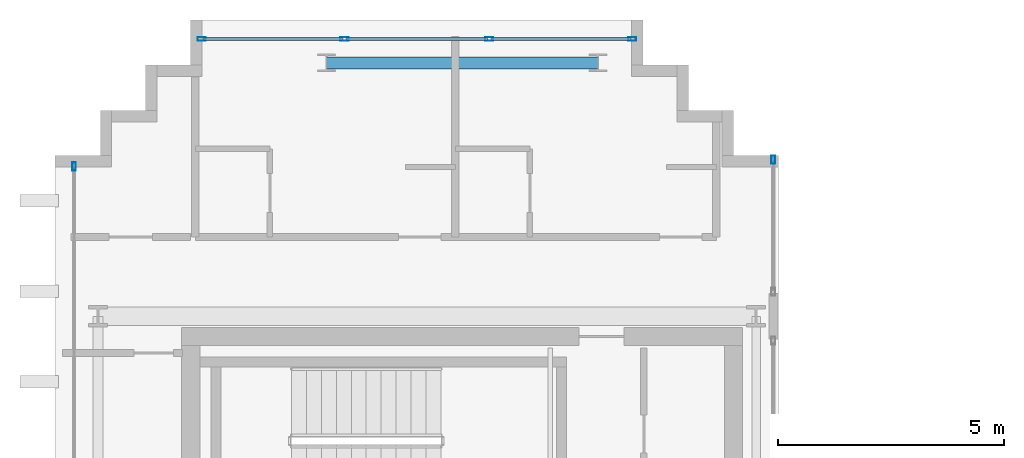
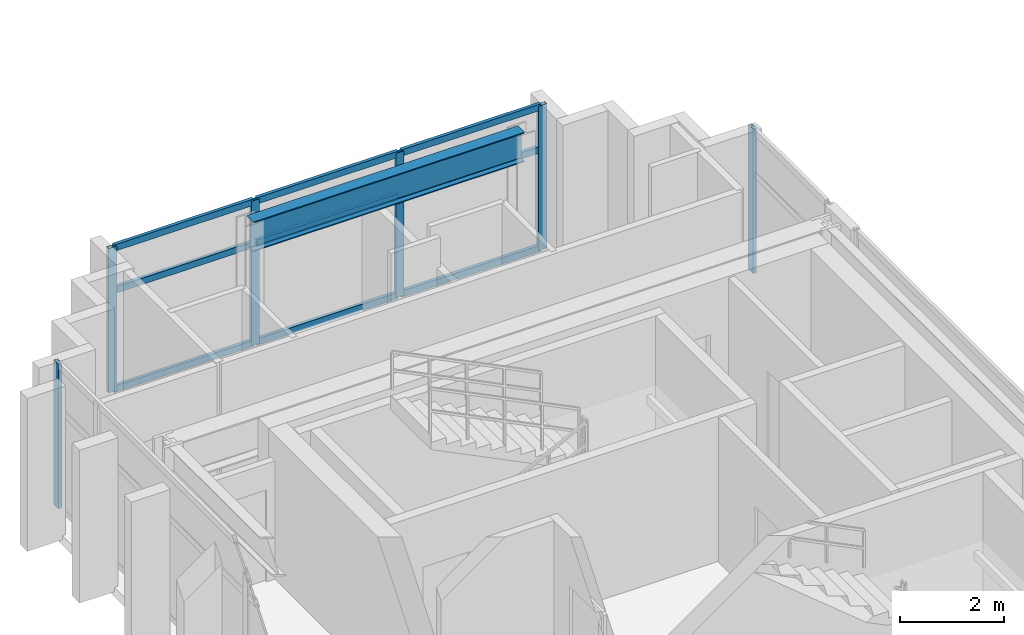
# One storey, part 16 of 25: 15 members, 1 beam, 3 elements without a shape of their own.
"""IFC4 building model written with IfcOpenShell, lengths in metres."""

from ifc_helpers import new_model, si_unit, direction, frame, origin, origin_2d, place, context, subcontext, project, spatial, hollow_rectangle, i_section, extrude, source, transform, mapped, material, layer, layer_set, material_profile, profile_set, type_object, element, aggregate, save


model = new_model("IFC4")

# Units and contexts
model_context = context("Model", 3, precision=1e-05, world=origin(), true_north=direction((0.0, 1.0)))
body_context = subcontext(model_context, "Body", "Model", "MODEL_VIEW")
ifc_project = project(units=[si_unit("LENGTHUNIT", "METRE"), si_unit("AREAUNIT", "SQUARE_METRE"), si_unit("VOLUMEUNIT", "CUBIC_METRE"), si_unit("PLANEANGLEUNIT", "RADIAN"), si_unit("MASSUNIT", "GRAM", prefix="KILO")], contexts=[model_context])

# Site, building, storey
site_placement = place(None, origin())
site = spatial("IfcSite", under=ifc_project, at=site_placement, CompositionType="ELEMENT")
building_placement = place(site_placement, origin())
building = spatial("IfcBuilding", under=site, at=building_placement, Name="Ocotamira Hotel", CompositionType="ELEMENT")
storey_placement = place(building_placement, frame((0.0, 0.0, 254.39990234375)))
storey = spatial("IfcBuildingStorey", under=building, at=storey_placement, Name="L64", CompositionType="ELEMENT", Elevation=254.39990234375)

# Beam
ifc_material_1 = material(Name="Steel ASTM A992 Grade 50", Category="steel")
ifc_material_profile_1 = material_profile(ifc_material_1, i_section(OverallWidth=0.256103515625, OverallDepth=0.693115234375, WebThickness=0.014404296875, FlangeThickness=0.023681640625, FilletRadius=0.01611328125, at=origin_2d()), Name="W27X114")
ifc_profile_set_1 = profile_set([ifc_material_profile_1], Name="Steel ASTM A992 Grade 50")
beam_type = type_object("IfcBeamType", Name="BM-PRIM-W27X114", PredefinedType="BEAM", material=ifc_profile_set_1)
shared_shape_1 = source(origin(), body_context, "Body", "SweptSolid", [
    extrude(i_section(OverallWidth=0.256103515625, OverallDepth=0.693115234375, WebThickness=0.014404296875, FlangeThickness=0.023681640625, FilletRadius=0.01611328125, at=origin_2d()), origin(), (0.0, 0.0, 1.0), 6.0),
])
beam_placement = place(storey_placement, frame((14.0, 43.050048828125, 3.03369140625), z_axis=(1.0, 0.0, 0.0), x_axis=(0.0, 1.0, 0.0)))
element("IfcBeam", 1, at=beam_placement, inside=storey, type_object=beam_type, Name="L64 Girder Y43.05 X14-20", PredefinedType="BEAM", context=body_context, shape_type="MappedRepresentation", body=[
    mapped(shared_shape_1, transform((0.0, 0.0, 0.0), scale=1.0)),
])

# Curtain wall, members
ifc_material_2 = material(Name="Anodised pale-metal aluminium and solar glass", Category="aluminium")
ifc_layer = layer(ifc_material_2, 0.2099609375)
ifc_layer_set = layer_set([ifc_layer], Name="Anodised pale-metal aluminium and solar glass")
curtain_wall_type = type_object("IfcCurtainWallType", Name="CW-SYS7-PEAK", PredefinedType="NOTDEFINED", material=ifc_layer_set)
curtain_wall_1_placement = place(storey_placement, origin())
curtain_wall_1 = element("IfcCurtainWall", 2, at=curtain_wall_1_placement, inside=storey, type_object=curtain_wall_type, Name="L64 Curtain Wall CW-7 CW-L64-WN", PredefinedType="NOTDEFINED")
ifc_material_3 = material(Name="Anodised pale-metal aluminium 6063-T6", Category="aluminium")
ifc_material_profile_2 = material_profile(ifc_material_3, hollow_rectangle(XDim=0.080078125, YDim=0.179931640625, WallThickness=0.006103515625, at=origin_2d()), Name="HSS180X80X6")
ifc_profile_set_2 = profile_set([ifc_material_profile_2], Name="Anodised pale-metal aluminium 6063-T6")
member_type_1 = type_object("IfcMemberType", Name="CWM-180X75", PredefinedType="MULLION", material=ifc_profile_set_2)
shared_shape_2 = source(origin(), body_context, "Body", "SweptSolid", [
    extrude(hollow_rectangle(XDim=0.080078125, YDim=0.179931640625, WallThickness=0.006103515625, at=origin_2d()), origin(), (0.0, 0.0, 1.0), 3.380126953125),
])
member_1_placement = place(storey_placement, frame((11.239990234375, 43.580078125, 0.0), z_axis=(0.0, 0.0, 1.0), x_axis=(0.0, 1.0, 0.0)))
member_1 = element("IfcMember", 3, at=member_1_placement, type_object=member_type_1, Name="CW-7 mullion 1", PredefinedType="MULLION", context=body_context, shape_type="MappedRepresentation", body=[
    mapped(shared_shape_2, transform((0.0, 0.0, 0.0), scale=1.0)),
])
member_2_placement = place(storey_placement, frame((14.39990234375, 43.580078125, 0.0), z_axis=(0.0, 0.0, 1.0), x_axis=(0.0, 1.0, 0.0)))
member_2 = element("IfcMember", 4, at=member_2_placement, type_object=member_type_1, Name="CW-7 mullion 2", PredefinedType="MULLION", context=body_context, shape_type="MappedRepresentation", body=[
    mapped(shared_shape_2, transform((0.0, 0.0, 0.0), scale=1.0)),
])
member_3_placement = place(storey_placement, frame((17.60009765625, 43.580078125, 0.0), z_axis=(0.0, 0.0, 1.0), x_axis=(0.0, 1.0, 0.0)))
member_3 = element("IfcMember", 5, at=member_3_placement, type_object=member_type_1, Name="CW-7 mullion 3", PredefinedType="MULLION", context=body_context, shape_type="MappedRepresentation", body=[
    mapped(shared_shape_2, transform((0.0, 0.0, 0.0), scale=1.0)),
])
member_4_placement = place(storey_placement, frame((20.760009765625, 43.580078125, 0.0), z_axis=(0.0, 0.0, 1.0), x_axis=(0.0, 1.0, 0.0)))
member_4 = element("IfcMember", 6, at=member_4_placement, type_object=member_type_1, Name="CW-7 mullion 4", PredefinedType="MULLION", context=body_context, shape_type="MappedRepresentation", body=[
    mapped(shared_shape_2, transform((0.0, 0.0, 0.0), scale=1.0)),
])

# Curtain wall, member
curtain_wall_2_placement = place(storey_placement, origin())
curtain_wall_2 = element("IfcCurtainWall", 7, at=curtain_wall_2_placement, inside=storey, type_object=curtain_wall_type, Name="L64 Curtain Wall CW-7 CW-L64-WO2", PredefinedType="NOTDEFINED")
member_5_placement = place(storey_placement, frame((8.419921875, 40.760009765625, 0.0), z_axis=(0.0, 0.0, 1.0), x_axis=(-1.0, 0.0, 0.0)))
member_5 = element("IfcMember", 8, at=member_5_placement, type_object=member_type_1, Name="CW-7 mullion 3", PredefinedType="MULLION", context=body_context, shape_type="MappedRepresentation", body=[
    mapped(shared_shape_2, transform((0.0, 0.0, 0.0), scale=1.0)),
])
aggregate(curtain_wall_2, [member_5])

curtain_wall_3_placement = place(storey_placement, origin())
curtain_wall_3 = element("IfcCurtainWall", 9, at=curtain_wall_3_placement, inside=storey, type_object=curtain_wall_type, Name="L64 Curtain Wall CW-7 CW-L64-WI4", PredefinedType="NOTDEFINED")
member_6_placement = place(storey_placement, frame((23.8798828125, 40.909912109375, 0.0), z_axis=(0.0, 0.0, 1.0), x_axis=(-1.0, 0.0, 0.0)))
member_6 = element("IfcMember", 10, at=member_6_placement, type_object=member_type_1, Name="CW-7 mullion 2", PredefinedType="MULLION", context=body_context, shape_type="MappedRepresentation", body=[
    mapped(shared_shape_2, transform((0.0, 0.0, 0.0), scale=1.0)),
])
aggregate(curtain_wall_3, [member_6])

# Member
ifc_material_profile_3 = material_profile(ifc_material_3, hollow_rectangle(XDim=0.074951171875, YDim=0.14990234375, WallThickness=0.006103515625, at=origin_2d()), Name="HSS150X75X6")
ifc_profile_set_3 = profile_set([ifc_material_profile_3], Name="Anodised pale-metal aluminium 6063-T6")
member_type_2 = type_object("IfcMemberType", Name="CWT-150X75", PredefinedType="USERDEFINED", material=ifc_profile_set_3)
shared_shape_3 = source(origin(), body_context, "Body", "SweptSolid", [
    extrude(hollow_rectangle(XDim=0.074951171875, YDim=0.14990234375, WallThickness=0.006103515625, at=origin_2d()), origin(), (0.0, 0.0, 1.0), 3.080078125),
])
member_7_placement = place(storey_placement, frame((11.280029296875, 43.580078125, 0.03759765625), z_axis=(1.0, 0.0, 0.0), x_axis=(0.0, 1.0, 0.0)))
member_7 = element("IfcMember", 11, at=member_7_placement, type_object=member_type_2, Name="CW-7 transom 1.1", ObjectType="TRANSOM", PredefinedType="USERDEFINED", context=body_context, shape_type="MappedRepresentation", body=[
    mapped(shared_shape_3, transform((0.0, 0.0, 0.0), scale=1.0)),
])

member_8_placement = place(storey_placement, frame((11.280029296875, 43.580078125, 2.35009765625), z_axis=(1.0, 0.0, 0.0), x_axis=(0.0, 1.0, 0.0)))
member_8 = element("IfcMember", 12, at=member_8_placement, type_object=member_type_2, Name="CW-7 transom 1.2", ObjectType="TRANSOM", PredefinedType="USERDEFINED", context=body_context, shape_type="MappedRepresentation", body=[
    mapped(shared_shape_3, transform((0.0, 0.0, 0.0), scale=1.0)),
])

member_9_placement = place(storey_placement, frame((11.280029296875, 43.580078125, 3.342529296875), z_axis=(1.0, 0.0, 0.0), x_axis=(0.0, 1.0, 0.0)))
member_9 = element("IfcMember", 13, at=member_9_placement, type_object=member_type_2, Name="CW-7 transom 1.3", ObjectType="TRANSOM", PredefinedType="USERDEFINED", context=body_context, shape_type="MappedRepresentation", body=[
    mapped(shared_shape_3, transform((0.0, 0.0, 0.0), scale=1.0)),
])

member_10_placement = place(storey_placement, frame((17.639892578125, 43.580078125, 0.03759765625), z_axis=(1.0, 0.0, 0.0), x_axis=(0.0, 1.0, 0.0)))
member_10 = element("IfcMember", 14, at=member_10_placement, type_object=member_type_2, Name="CW-7 transom 3.1", ObjectType="TRANSOM", PredefinedType="USERDEFINED", context=body_context, shape_type="MappedRepresentation", body=[
    mapped(shared_shape_3, transform((0.0, 0.0, 0.0), scale=1.0)),
])

member_11_placement = place(storey_placement, frame((17.639892578125, 43.580078125, 2.35009765625), z_axis=(1.0, 0.0, 0.0), x_axis=(0.0, 1.0, 0.0)))
member_11 = element("IfcMember", 15, at=member_11_placement, type_object=member_type_2, Name="CW-7 transom 3.2", ObjectType="TRANSOM", PredefinedType="USERDEFINED", context=body_context, shape_type="MappedRepresentation", body=[
    mapped(shared_shape_3, transform((0.0, 0.0, 0.0), scale=1.0)),
])

member_12_placement = place(storey_placement, frame((17.639892578125, 43.580078125, 3.342529296875), z_axis=(1.0, 0.0, 0.0), x_axis=(0.0, 1.0, 0.0)))
member_12 = element("IfcMember", 16, at=member_12_placement, type_object=member_type_2, Name="CW-7 transom 3.3", ObjectType="TRANSOM", PredefinedType="USERDEFINED", context=body_context, shape_type="MappedRepresentation", body=[
    mapped(shared_shape_3, transform((0.0, 0.0, 0.0), scale=1.0)),
])

shared_shape_4 = source(origin(), body_context, "Body", "SweptSolid", [
    extrude(hollow_rectangle(XDim=0.074951171875, YDim=0.14990234375, WallThickness=0.006103515625, at=origin_2d()), origin(), (0.0, 0.0, 1.0), 3.1201171875),
])
member_13_placement = place(storey_placement, frame((14.43994140625, 43.580078125, 0.03759765625), z_axis=(1.0, 0.0, 0.0), x_axis=(0.0, 1.0, 0.0)))
member_13 = element("IfcMember", 17, at=member_13_placement, type_object=member_type_2, Name="CW-7 transom 2.1", ObjectType="TRANSOM", PredefinedType="USERDEFINED", context=body_context, shape_type="MappedRepresentation", body=[
    mapped(shared_shape_4, transform((0.0, 0.0, 0.0), scale=1.0)),
])

member_14_placement = place(storey_placement, frame((14.43994140625, 43.580078125, 2.35009765625), z_axis=(1.0, 0.0, 0.0), x_axis=(0.0, 1.0, 0.0)))
member_14 = element("IfcMember", 18, at=member_14_placement, type_object=member_type_2, Name="CW-7 transom 2.2", ObjectType="TRANSOM", PredefinedType="USERDEFINED", context=body_context, shape_type="MappedRepresentation", body=[
    mapped(shared_shape_4, transform((0.0, 0.0, 0.0), scale=1.0)),
])

member_15_placement = place(storey_placement, frame((14.43994140625, 43.580078125, 3.342529296875), z_axis=(1.0, 0.0, 0.0), x_axis=(0.0, 1.0, 0.0)))
member_15 = element("IfcMember", 19, at=member_15_placement, type_object=member_type_2, Name="CW-7 transom 2.3", ObjectType="TRANSOM", PredefinedType="USERDEFINED", context=body_context, shape_type="MappedRepresentation", body=[
    mapped(shared_shape_4, transform((0.0, 0.0, 0.0), scale=1.0)),
])

aggregate(curtain_wall_1, [member_1, member_2, member_3, member_4, member_7, member_8, member_9, member_13, member_14, member_15, member_10, member_11, member_12])

save(model, "model.ifc")
